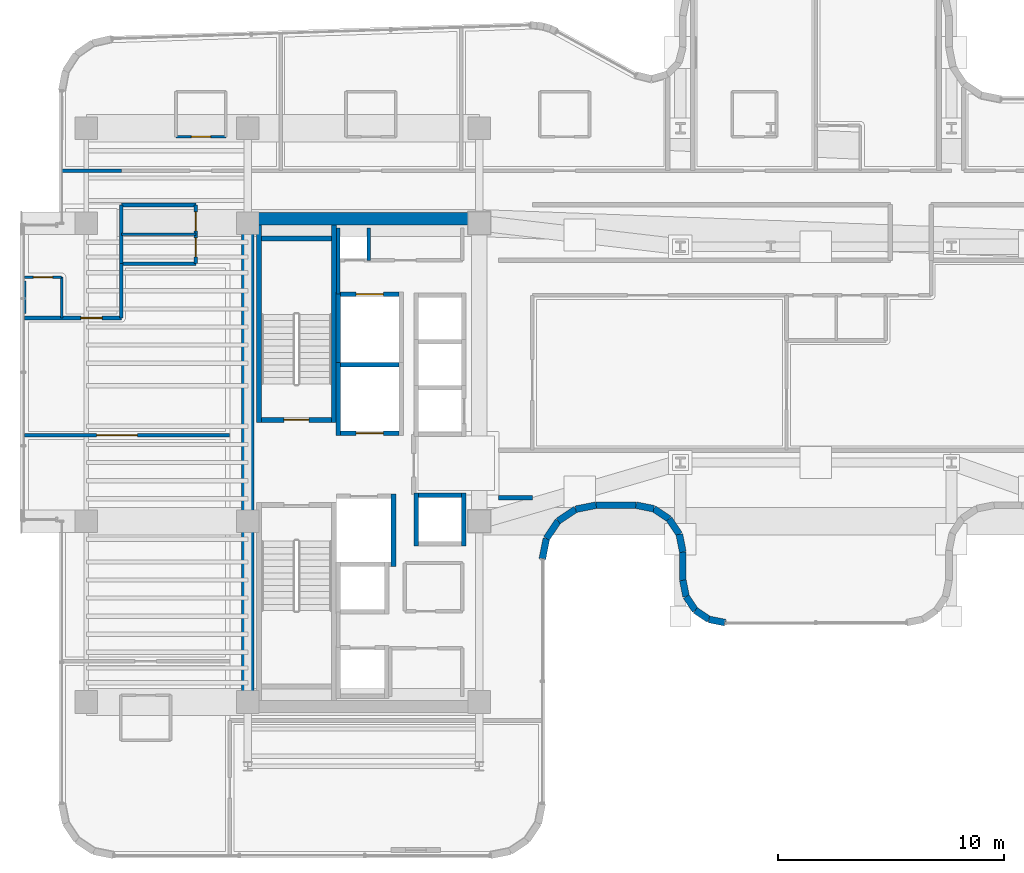
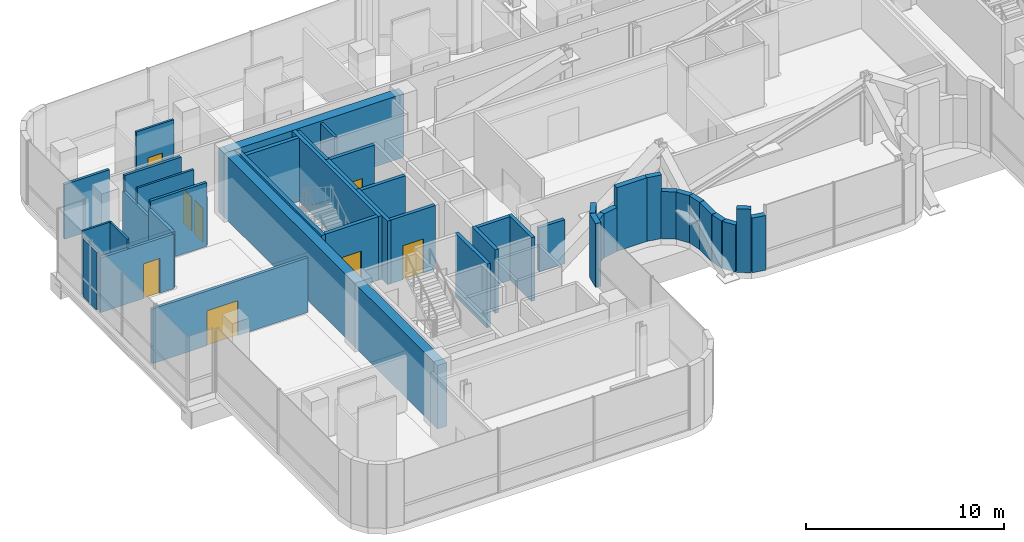
# One storey, part 27 of 37: 45 walls, 9 doors, 9 openings.
"""IFC4 building model written with IfcOpenShell, lengths in metres."""

from ifc_helpers import new_model, si_unit, direction, frame, frame_2d, origin, place, context, subcontext, project, spatial, rectangle, extrude, material, layer, layer_set, type_object, element, fill, save


model = new_model("IFC4")

# Units and contexts
model_context = context("Model", 3, precision=1e-05, world=origin(), true_north=direction((0.0, 1.0)))
body_context = subcontext(model_context, "Body", "Model", "MODEL_VIEW")
ifc_project = project(units=[si_unit("LENGTHUNIT", "METRE"), si_unit("AREAUNIT", "SQUARE_METRE"), si_unit("VOLUMEUNIT", "CUBIC_METRE"), si_unit("PLANEANGLEUNIT", "RADIAN"), si_unit("MASSUNIT", "GRAM", prefix="KILO")], contexts=[model_context])

# Site, building, storey
site_placement = place(None, origin())
site = spatial("IfcSite", under=ifc_project, at=site_placement, CompositionType="ELEMENT")
building_placement = place(site_placement, origin())
building = spatial("IfcBuilding", under=site, at=building_placement, Name="Valdorenza Pilgrim Sanctuary Tower", CompositionType="ELEMENT")
storey_placement = place(building_placement, frame((0.0, 0.0, 172.300048828125)))
storey = spatial("IfcBuildingStorey", under=building, at=storey_placement, Name="L44", CompositionType="ELEMENT", Elevation=172.300048828125)

# Walls
ifc_material_1 = material(Name="Acoustic twin-stud gypsum partition", Category="gypsum")
ifc_layer_1 = layer(ifc_material_1, 0.159912109375, Name="Acoustic twin-stud gypsum partition")
ifc_layer_set_1 = layer_set([ifc_layer_1], Name="Acoustic twin-stud gypsum partition")
wall_type_1 = type_object("IfcWallType", Name="WAL-COR-160", PredefinedType="PARTITIONING", material=ifc_layer_set_1)
wall_1_placement = place(storey_placement, frame((-18.64990234375, 7.449951171875, 0.0), z_axis=(0.0, 0.0, 1.0), x_axis=(0.0, 1.0, 0.0)))
element("IfcWall", 1, at=wall_1_placement, inside=storey, type_object=wall_type_1, Name="L44 Core A North Service West Wall", PredefinedType="PARTITIONING", context=body_context, shape_type="SweptSolid", body=[
    extrude(rectangle(XDim=2.929931640625, YDim=0.159912109375, at=frame_2d((1.46484375, 0.0))), origin(), (0.0, 0.0, 1.0), 3.929931640625),
])
wall_2_placement = place(storey_placement, frame((-17.300048828125, 8.949951171875, 0.0), z_axis=(0.0, 0.0, 1.0), x_axis=(0.0, 1.0, 0.0)))
element("IfcWall", 2, at=wall_2_placement, inside=storey, type_object=wall_type_1, Name="L44 Core Electrical Riser Wall", PredefinedType="PARTITIONING", context=body_context, shape_type="SweptSolid", body=[
    extrude(rectangle(XDim=1.429931640625, YDim=0.159912109375, at=frame_2d((0.71484375, 0.0))), origin(), (0.0, 0.0, 1.0), 3.929931640625),
])
wall_3_placement = place(storey_placement, frame((-28.25, 8.800048828125, 0.0), z_axis=(0.0, 0.0, 1.0), x_axis=(0.0, 1.0, 0.0)))
element("IfcWall", 3, at=wall_3_placement, inside=storey, type_object=wall_type_1, Name="L44 Washroom West Wall", PredefinedType="PARTITIONING", context=body_context, shape_type="SweptSolid", body=[
    extrude(rectangle(XDim=2.599853515625, YDim=0.159912109375, at=frame_2d((1.2998046875, 0.0))), origin(), (0.0, 0.0, 1.0), 2.96484375),
])

# Wall, openings, doors
wall_4_placement = place(storey_placement, frame((-24.949951171875, 8.800048828125, 0.0), z_axis=(0.0, 0.0, 1.0), x_axis=(0.0, 1.0, 0.0)))
wall_4 = element("IfcWall", 4, at=wall_4_placement, inside=storey, type_object=wall_type_1, Name="L44 Washroom East Wall", PredefinedType="PARTITIONING", context=body_context, shape_type="SweptSolid", body=[
    extrude(rectangle(XDim=2.599853515625, YDim=0.159912109375, at=frame_2d((1.2998046875, 0.0))), origin(), (0.0, 0.0, 1.0), 2.96484375),
])
opening_1_placement = place(wall_4_placement, frame((0.300048828125, 0.0, 0.0)))
opening_1 = element("IfcOpeningElement", 5, at=opening_1_placement, cuts=wall_4, Name="Opening DR-WC1", PredefinedType="OPENING", context=body_context, shape_type="SweptSolid", body=[
    extrude(rectangle(XDim=0.85009765625, YDim=2.10009765625, at=frame_2d((0.425048828125, 1.050048828125))), frame((0.0, 0.0947265625, 0.0), z_axis=(0.0, -1.0, 0.0), x_axis=(1.0, 0.0, 0.0)), (0.0, 0.0, 1.0), 0.189697265625),
])
opening_2_placement = place(wall_4_placement, frame((1.449951171875, 0.0, 0.0)))
opening_2 = element("IfcOpeningElement", 6, at=opening_2_placement, cuts=wall_4, Name="Opening DR-WC1", PredefinedType="OPENING", context=body_context, shape_type="SweptSolid", body=[
    extrude(rectangle(XDim=0.85009765625, YDim=2.10009765625, at=frame_2d((0.425048828125, 1.050048828125))), frame((0.0, 0.0947265625, 0.0), z_axis=(0.0, -1.0, 0.0), x_axis=(1.0, 0.0, 0.0)), (0.0, 0.0, 1.0), 0.189697265625),
])
ifc_material_2 = material(Name="Moisture-resistant lacquered timber", Category="wood")
door_type_1 = type_object("IfcDoorType", Name="DR-BATH-850", OperationType="NOTDEFINED", PredefinedType="DOOR", material=ifc_material_2)
door_1_placement = place(opening_1_placement, origin())
door_1 = element("IfcDoor", 7, at=door_1_placement, inside=storey, type_object=door_type_1, Name="L44 Accessible Washroom Door", OperationType="SINGLE_SWING_RIGHT", OverallHeight=2.10009765625, OverallWidth=0.85009765625, PredefinedType="DOOR", context=body_context, shape_type="SweptSolid", body=[
    extrude(rectangle(XDim=0.85009765625, YDim=2.10009765625, at=frame_2d((0.425048828125, 1.050048828125))), frame((0.0, 0.02490234375, 0.0), z_axis=(0.0, -1.0, 0.0), x_axis=(1.0, 0.0, 0.0)), (0.0, 0.0, 1.0), 0.050048828125),
])
fill(opening_1, door_1)
door_2_placement = place(opening_2_placement, origin())
door_2 = element("IfcDoor", 8, at=door_2_placement, inside=storey, type_object=door_type_1, Name="L44 Public Washroom Door", OperationType="SINGLE_SWING_LEFT", OverallHeight=2.10009765625, OverallWidth=0.85009765625, PredefinedType="DOOR", context=body_context, shape_type="SweptSolid", body=[
    extrude(rectangle(XDim=0.85009765625, YDim=2.10009765625, at=frame_2d((0.425048828125, 1.050048828125))), frame((0.0, 0.02490234375, 0.0), z_axis=(0.0, -1.0, 0.0), x_axis=(1.0, 0.0, 0.0)), (0.0, 0.0, 1.0), 0.050048828125),
])
fill(opening_2, door_2)

# Walls
for number, where, z_axis, x_axis, name in (
    (9, (-28.25, 8.800048828125, 0.0), (0.0, 0.0, 1.0), (1.0, 0.0, 0.0), "L44 Washroom South Wall"),
    (10, (-28.25, 11.39990234375, 0.0), (0.0, 0.0, 1.0), (1.0, 0.0, 0.0), "L44 Washroom North Wall"),
):
    element("IfcWall", number, at=place(storey_placement, frame(where, z_axis=z_axis, x_axis=x_axis)), inside=storey, type_object=wall_type_1, Name=name, PredefinedType="PARTITIONING", context=body_context, shape_type="SweptSolid", body=[
        extrude(rectangle(XDim=3.300048828125, YDim=0.159912109375, at=frame_2d((1.64990234375, 0.0))), origin(), (0.0, 0.0, 1.0), 3.929931640625),
    ])

# Wall, opening, door
wall_5_placement = place(storey_placement, frame((-32.5400390625, 6.39990234375, 0.0), z_axis=(0.0, 0.0, 1.0), x_axis=(1.0, 0.0, 0.0)))
wall_5 = element("IfcWall", 11, at=wall_5_placement, inside=storey, type_object=wall_type_1, Name="L44 Cloister North Room Wall", PredefinedType="PARTITIONING", context=body_context, shape_type="SweptSolid", body=[
    extrude(rectangle(XDim=4.2900390625, YDim=0.159912109375, at=frame_2d((2.14501953125, 0.0))), origin(), (0.0, 0.0, 1.0), 3.3759765625),
])
opening_3_placement = place(wall_5_placement, frame((2.4951171875, 0.0, 0.0)))
opening_3 = element("IfcOpeningElement", 12, at=opening_3_placement, cuts=wall_5, Name="Opening DR-UN1", PredefinedType="OPENING", context=body_context, shape_type="SweptSolid", body=[
    extrude(rectangle(XDim=0.949951171875, YDim=2.14990234375, at=frame_2d((0.47509765625, 1.074951171875))), frame((0.0, 0.0947265625, 0.0), z_axis=(0.0, -1.0, 0.0), x_axis=(1.0, 0.0, 0.0)), (0.0, 0.0, 1.0), 0.189697265625),
])
ifc_material_3 = material(Name="Solid-core European oak timber", Category="wood")
door_type_2 = type_object("IfcDoorType", Name="DR-UNIT-950", OperationType="NOTDEFINED", PredefinedType="DOOR", material=ifc_material_3)
door_3_placement = place(opening_3_placement, origin())
door_3 = element("IfcDoor", 13, at=door_3_placement, inside=storey, type_object=door_type_2, Name="L44 Pilgrim Guest Room L44-CN1 Entrance Door", OperationType="SINGLE_SWING_RIGHT", OverallHeight=2.14990234375, OverallWidth=0.949951171875, PredefinedType="DOOR", context=body_context, shape_type="SweptSolid", body=[
    extrude(rectangle(XDim=0.949951171875, YDim=2.14990234375, at=frame_2d((0.47509765625, 1.074951171875))), frame((0.0, 0.02490234375, 0.0), z_axis=(0.0, -1.0, 0.0), x_axis=(1.0, 0.0, 0.0)), (0.0, 0.0, 1.0), 0.050048828125),
])
fill(opening_3, door_3)

# Wall
wall_6_placement = place(storey_placement, frame((-28.25, 6.39990234375, 0.0), z_axis=(0.0, 0.0, 1.0), x_axis=(0.0, 1.0, 0.0)))
element("IfcWall", 14, at=wall_6_placement, inside=storey, type_object=wall_type_1, Name="L44 Cloister NE Closure", PredefinedType="PARTITIONING", context=body_context, shape_type="SweptSolid", body=[
    extrude(rectangle(XDim=2.400146484375, YDim=0.159912109375, at=frame_2d((1.2001953125, 0.0))), origin(), (0.0, 0.0, 1.0), 3.4580078125),
])

# Wall, opening, door
wall_7_placement = place(storey_placement, frame((-32.5400390625, 1.199951171875, 0.0), z_axis=(0.0, 0.0, 1.0), x_axis=(1.0, 0.0, 0.0)))
wall_7 = element("IfcWall", 15, at=wall_7_placement, inside=storey, type_object=wall_type_1, Name="L44 Cloister Mid Wall", PredefinedType="PARTITIONING", context=body_context, shape_type="SweptSolid", body=[
    extrude(rectangle(XDim=9.090087890625, YDim=0.159912109375, at=frame_2d((4.544921875, 0.0))), origin(), (0.0, 0.0, 1.0), 3.3759765625),
])
opening_4_placement = place(wall_7_placement, frame((3.199951171875, 0.0, 0.0)))
opening_4 = element("IfcOpeningElement", 16, at=opening_4_placement, cuts=wall_7, Name="Opening DR-HL1", PredefinedType="OPENING", context=body_context, shape_type="SweptSolid", body=[
    extrude(rectangle(XDim=1.800048828125, YDim=2.14990234375, at=frame_2d((0.89990234375, 1.074951171875))), frame((0.0, 0.0947265625, 0.0), z_axis=(0.0, -1.0, 0.0), x_axis=(1.0, 0.0, 0.0)), (0.0, 0.0, 1.0), 0.189697265625),
])
ifc_material_4 = material(Name="Acoustic oak and vision-glass double door", Category="glass")
door_type_3 = type_object("IfcDoorType", Name="DR-HALL-1800", OperationType="NOTDEFINED", PredefinedType="DOOR", material=ifc_material_4)
door_4_placement = place(opening_4_placement, origin())
door_4 = element("IfcDoor", 17, at=door_4_placement, inside=storey, type_object=door_type_3, Name="L44 Cloister Mid Double Door", OperationType="DOUBLE_DOOR_SINGLE_SWING", OverallHeight=2.14990234375, OverallWidth=1.800048828125, PredefinedType="DOOR", context=body_context, shape_type="SweptSolid", body=[
    extrude(rectangle(XDim=1.800048828125, YDim=2.14990234375, at=frame_2d((0.89990234375, 1.074951171875))), frame((0.0, 0.02490234375, 0.0), z_axis=(0.0, -1.0, 0.0), x_axis=(1.0, 0.0, 0.0)), (0.0, 0.0, 1.0), 0.050048828125),
])
fill(opening_4, door_4)

# Walls
wall_8_placement = place(storey_placement, frame((-30.889892578125, 12.919921875, 0.0), z_axis=(0.0, 0.0, 1.0), x_axis=(1.0, 0.0, 0.0)))
element("IfcWall", 18, at=wall_8_placement, inside=storey, type_object=wall_type_1, Name="L44 Cloister North Solid Partition", PredefinedType="PARTITIONING", context=body_context, shape_type="SweptSolid", body=[
    extrude(rectangle(XDim=2.639892578125, YDim=0.159912109375, at=frame_2d((1.31982421875, 0.0))), origin(), (0.0, 0.0, 1.0), 3.3759765625),
])
ifc_material_5 = material(Name="Concrete C50/60", Category="concrete")
ifc_layer_2 = layer(ifc_material_5, 0.550048828125, Name="Concrete C50/60")
ifc_layer_set_2 = layer_set([ifc_layer_2], Name="Concrete C50/60")
wall_type_2 = type_object("IfcWallType", Name="WAL-COR-550", PredefinedType="SHEAR", material=ifc_layer_set_2)
wall_9_placement = place(storey_placement, frame((-22.64990234375, -11.074951171875, 0.0), z_axis=(0.0, 0.0, 1.0), x_axis=(0.0, 1.0, 0.0)))
element("IfcWall", 19, at=wall_9_placement, inside=storey, type_object=wall_type_2, Name="L44 Split Core A Shear Wall W", PredefinedType="SHEAR", context=body_context, shape_type="SweptSolid", body=[
    extrude(rectangle(XDim=22.14990234375, YDim=0.550048828125, at=frame_2d((11.074951171875, 0.0))), origin(), (0.0, 0.0, 1.0), 3.929931640625),
])
wall_10_placement = place(storey_placement, frame((-22.64990234375, 10.800048828125, 0.0), z_axis=(0.0, 0.0, 1.0), x_axis=(1.0, 0.0, 0.0)))
element("IfcWall", 20, at=wall_10_placement, inside=storey, type_object=wall_type_2, Name="L44 Split Core A Shear Wall N", PredefinedType="SHEAR", context=body_context, shape_type="SweptSolid", body=[
    extrude(rectangle(XDim=10.25, YDim=0.550048828125, at=frame_2d((5.125, 0.0))), origin(), (0.0, 0.0, 1.0), 3.929931640625),
])
ifc_material_6 = material(Name="Honed travertine limestone", Category="masonry")
ifc_layer_3 = layer(ifc_material_6, 0.300048828125, Name="Honed travertine limestone")
ifc_layer_set_3 = layer_set([ifc_layer_3], Name="Honed travertine limestone")
wall_type_3 = type_object("IfcWallType", Name="WAL-EXT-300", PredefinedType="SOLIDWALL", material=ifc_layer_set_3)
wall_11_placement = place(storey_placement, frame((-1.51318359375, -7.090087890625, 0.0), z_axis=(0.0, 0.0, 1.0), x_axis=(-0.980783640462, 0.195098566376, 0.0)))
element("IfcWall", 21, at=wall_11_placement, inside=storey, type_object=wall_type_3, Name="L44 Rounded Wind-Corner Stone Pier 63", PredefinedType="SOLIDWALL", context=body_context, shape_type="SweptSolid", body=[
    extrude(rectangle(XDim=0.73828125, YDim=0.300048828125, at=frame_2d((0.369140625, 0.0))), origin(), (0.0, 0.0, 1.0), 3.3759765625),
])
wall_12_placement = place(storey_placement, frame((-2.2373046875, -6.946044921875, 0.0), z_axis=(0.0, 0.0, 1.0), x_axis=(-0.831378135196, 0.555707113792, 0.0)))
element("IfcWall", 22, at=wall_12_placement, inside=storey, type_object=wall_type_3, Name="L44 Rounded Wind-Corner Stone Pier 64", PredefinedType="SOLIDWALL", context=body_context, shape_type="SweptSolid", body=[
    extrude(rectangle(XDim=0.72705078125, YDim=0.300048828125, at=frame_2d((0.363525390625, 0.0))), origin(), (0.0, 0.0, 1.0), 3.929931640625),
])
wall_13_placement = place(storey_placement, frame((-2.841796875, -6.5419921875, 0.0), z_axis=(0.0, 0.0, 1.0), x_axis=(-0.555784030735, 0.83132671747, 0.0)))
element("IfcWall", 23, at=wall_13_placement, inside=storey, type_object=wall_type_3, Name="L44 Rounded Wind-Corner Stone Pier 65", PredefinedType="SOLIDWALL", context=body_context, shape_type="SweptSolid", body=[
    extrude(rectangle(XDim=0.7275390625, YDim=0.300048828125, at=frame_2d((0.36376953125, 0.0))), origin(), (0.0, 0.0, 1.0), 2.9150390625),
])
wall_14_placement = place(storey_placement, frame((-3.24609375, -5.937255859375, 0.0), z_axis=(0.0, 0.0, 1.0), x_axis=(-0.194780446724, 0.980846867546, 0.0)))
element("IfcWall", 24, at=wall_14_placement, inside=storey, type_object=wall_type_3, Name="L44 Rounded Wind-Corner Stone Pier 66", PredefinedType="SOLIDWALL", context=body_context, shape_type="SweptSolid", body=[
    extrude(rectangle(XDim=0.73828125, YDim=0.300048828125, at=frame_2d((0.369140625, 0.0))), origin(), (0.0, 0.0, 1.0), 2.9150390625),
])
wall_15_placement = place(storey_placement, frame((-3.389892578125, -5.213134765625, 0.0), z_axis=(0.0, 0.0, 1.0), x_axis=(0.0, 1.0, 0.0)))
element("IfcWall", 25, at=wall_15_placement, inside=storey, type_object=wall_type_3, Name="L44 Rounded Wind-Corner Stone Pier 67", PredefinedType="SOLIDWALL", context=body_context, shape_type="SweptSolid", body=[
    extrude(rectangle(XDim=1.248046875, YDim=0.300048828125, at=frame_2d((0.6240234375, 0.0))), origin(), (0.0, 0.0, 1.0), 2.9150390625),
])
wall_16_placement = place(storey_placement, frame((-3.389892578125, -3.965087890625, 0.0), z_axis=(0.0, 0.0, 1.0), x_axis=(-0.195356525272, 0.980732291726, 0.0)))
element("IfcWall", 26, at=wall_16_placement, inside=storey, type_object=wall_type_3, Name="L44 Rounded Wind-Corner Stone Pier 68", PredefinedType="SOLIDWALL", context=body_context, shape_type="SweptSolid", body=[
    extrude(rectangle(XDim=0.803466796875, YDim=0.300048828125, at=frame_2d((0.40185546875, 0.0))), origin(), (0.0, 0.0, 1.0), 2.9150390625),
])
for number, where, z_axis, x_axis, name in (
    (27, (-3.546875, -3.177001953125, 0.0), (0.0, 0.0, 1.0), (-0.555529688413, 0.831496701913, 0.0), "L44 Rounded Wind-Corner Stone Pier 69"),
    (28, (-3.99951171875, -2.49951171875, 0.0), (0.0, 0.0, 1.0), (-0.831496701913, 0.555529688413, 0.0), "L44 Rounded Wind-Corner Stone Pier 70"),
):
    element("IfcWall", number, at=place(storey_placement, frame(where, z_axis=z_axis, x_axis=x_axis)), inside=storey, type_object=wall_type_3, Name=name, PredefinedType="SOLIDWALL", context=body_context, shape_type="SweptSolid", body=[
        extrude(rectangle(XDim=0.814697265625, YDim=0.300048828125, at=frame_2d((0.4072265625, 0.0))), origin(), (0.0, 0.0, 1.0), 2.9150390625),
    ])
wall_17_placement = place(storey_placement, frame((-4.677001953125, -2.046875, 0.0), z_axis=(0.0, 0.0, 1.0), x_axis=(-0.980732291726, 0.195356525272, 0.0)))
element("IfcWall", 29, at=wall_17_placement, inside=storey, type_object=wall_type_3, Name="L44 Rounded Wind-Corner Stone Pier 71", PredefinedType="SOLIDWALL", context=body_context, shape_type="SweptSolid", body=[
    extrude(rectangle(XDim=0.803466796875, YDim=0.300048828125, at=frame_2d((0.40185546875, 0.0))), origin(), (0.0, 0.0, 1.0), 3.929931640625),
])
wall_18_placement = place(storey_placement, frame((-5.465087890625, -1.889892578125, 0.0), z_axis=(0.0, 0.0, 1.0), x_axis=(-1.0, 0.0, 0.0)))
element("IfcWall", 30, at=wall_18_placement, inside=storey, type_object=wall_type_3, Name="L44 Rounded Wind-Corner Stone Pier 72", PredefinedType="SOLIDWALL", context=body_context, shape_type="SweptSolid", body=[
    extrude(rectangle(XDim=1.765625, YDim=0.300048828125, at=frame_2d((0.8828125, 0.0))), origin(), (0.0, 0.0, 1.0), 3.929931640625),
])
wall_19_placement = place(storey_placement, frame((-7.230712890625, -1.889892578125, 0.0), z_axis=(0.0, 0.0, 1.0), x_axis=(-0.980743190895, -0.195301801101, 0.0)))
element("IfcWall", 31, at=wall_19_placement, inside=storey, type_object=wall_type_3, Name="L44 Rounded Wind-Corner Stone Pier 73", PredefinedType="SOLIDWALL", context=body_context, shape_type="SweptSolid", body=[
    extrude(rectangle(XDim=0.922607421875, YDim=0.300048828125, at=frame_2d((0.46142578125, 0.0))), origin(), (0.0, 0.0, 1.0), 2.71484375),
])
wall_20_placement = place(storey_placement, frame((-8.135498046875, -2.070068359375, 0.0), z_axis=(0.0, 0.0, 1.0), x_axis=(-0.831607331814, -0.555364065883, 0.0)))
element("IfcWall", 32, at=wall_20_placement, inside=storey, type_object=wall_type_3, Name="L44 Rounded Wind-Corner Stone Pier 74", PredefinedType="SOLIDWALL", context=body_context, shape_type="SweptSolid", body=[
    extrude(rectangle(XDim=0.933349609375, YDim=0.300048828125, at=frame_2d((0.466796875, 0.0))), origin(), (0.0, 0.0, 1.0), 2.71484375),
])
wall_21_placement = place(storey_placement, frame((-8.91162109375, -2.58837890625, 0.0), z_axis=(0.0, 0.0, 1.0), x_axis=(-0.555364065883, -0.831607331814, 0.0)))
element("IfcWall", 33, at=wall_21_placement, inside=storey, type_object=wall_type_3, Name="L44 Rounded Wind-Corner Stone Pier 75", PredefinedType="SOLIDWALL", context=body_context, shape_type="SweptSolid", body=[
    extrude(rectangle(XDim=0.933349609375, YDim=0.300048828125, at=frame_2d((0.466796875, 0.0))), origin(), (0.0, 0.0, 1.0), 3.929931640625),
])
wall_22_placement = place(storey_placement, frame((-9.429931640625, -3.364501953125, 0.0), z_axis=(0.0, 0.0, 1.0), x_axis=(-0.195301801101, -0.980743190895, 0.0)))
element("IfcWall", 34, at=wall_22_placement, inside=storey, type_object=wall_type_3, Name="L44 Rounded Wind-Corner Stone Pier 76", PredefinedType="SOLIDWALL", context=body_context, shape_type="SweptSolid", body=[
    extrude(rectangle(XDim=0.922607421875, YDim=0.300048828125, at=frame_2d((0.46142578125, 0.0))), origin(), (0.0, 0.0, 1.0), 3.929931640625),
])
ifc_material_7 = material(Name="Gypsum shaftwall partition", Category="gypsum")
ifc_layer_4 = layer(ifc_material_7, 0.199951171875, Name="Gypsum shaftwall partition")
ifc_layer_set_4 = layer_set([ifc_layer_4], Name="Gypsum shaftwall partition")
wall_type_4 = type_object("IfcWallType", Name="WAL-FFL-200", PredefinedType="PARTITIONING", material=ifc_layer_set_4)
wall_23_placement = place(storey_placement, frame((-11.550048828125, -1.550048828125, 0.0), z_axis=(0.0, 0.0, 1.0), x_axis=(1.0, 0.0, 0.0)))
element("IfcWall", 35, at=wall_23_placement, inside=storey, type_object=wall_type_4, Name="L44 L44 Core A Concourse South Truss Wall", PredefinedType="PARTITIONING", context=body_context, shape_type="SweptSolid", body=[
    extrude(rectangle(XDim=1.5, YDim=0.199951171875, at=frame_2d((0.75, 0.0))), origin(), (0.0, 0.0, 1.0), 2.71484375),
])
ifc_material_8 = material(Name="Moisture-resistant gypsum partition", Category="gypsum")
ifc_layer_5 = layer(ifc_material_8, 0.1201171875, Name="Moisture-resistant gypsum partition")
ifc_layer_set_5 = layer_set([ifc_layer_5], Name="Moisture-resistant gypsum partition")
wall_type_5 = type_object("IfcWallType", Name="WAL-INT-120", PredefinedType="PARTITIONING", material=ifc_layer_set_5)
wall_24_placement = place(storey_placement, frame((-28.25, 10.10009765625, 0.0), z_axis=(0.0, 0.0, 1.0), x_axis=(1.0, 0.0, 0.0)))
element("IfcWall", 36, at=wall_24_placement, inside=storey, type_object=wall_type_5, Name="L44 Washroom Divider Wall", PredefinedType="PARTITIONING", context=body_context, shape_type="SweptSolid", body=[
    extrude(rectangle(XDim=3.300048828125, YDim=0.1201171875, at=frame_2d((1.64990234375, 0.0))), origin(), (0.0, 0.0, 1.0), 3.929931640625),
])
wall_25_placement = place(storey_placement, frame((-30.889892578125, 6.39990234375, 0.0), z_axis=(0.0, 0.0, 1.0), x_axis=(0.0, 1.0, 0.0)))
element("IfcWall", 37, at=wall_25_placement, inside=storey, type_object=wall_type_5, Name="L44 Pilgrim Guest Room L44-CN1 En-suite East Wall", PredefinedType="PARTITIONING", context=body_context, shape_type="SweptSolid", body=[
    extrude(rectangle(XDim=1.80712890625, YDim=0.1201171875, at=frame_2d((0.903564453125, 0.0))), origin(), (0.0, 0.0, 1.0), 3.929931640625),
])

# Wall, opening, door
wall_26_placement = place(storey_placement, frame((-32.5400390625, 8.20703125, 0.0), z_axis=(0.0, 0.0, 1.0), x_axis=(1.0, 0.0, 0.0)))
wall_26 = element("IfcWall", 38, at=wall_26_placement, inside=storey, type_object=wall_type_5, Name="L44 Pilgrim Guest Room L44-CN1 En-suite Door Wall", PredefinedType="PARTITIONING", context=body_context, shape_type="SweptSolid", body=[
    extrude(rectangle(XDim=1.650146484375, YDim=0.1201171875, at=frame_2d((0.8251953125, 0.0))), origin(), (0.0, 0.0, 1.0), 3.929931640625),
])
opening_5_placement = place(wall_26_placement, frame((0.39990234375, 0.0, 0.0)))
opening_5 = element("IfcOpeningElement", 39, at=opening_5_placement, cuts=wall_26, Name="Opening DR-WC1", PredefinedType="OPENING", context=body_context, shape_type="SweptSolid", body=[
    extrude(rectangle(XDim=0.85009765625, YDim=2.10009765625, at=frame_2d((0.425048828125, 1.050048828125))), frame((0.0, 0.074951171875, 0.0), z_axis=(0.0, -1.0, 0.0), x_axis=(1.0, 0.0, 0.0)), (0.0, 0.0, 1.0), 0.14990234375),
])
door_5_placement = place(opening_5_placement, origin())
door_5 = element("IfcDoor", 40, at=door_5_placement, inside=storey, type_object=door_type_1, Name="L44 Pilgrim Guest Room L44-CN1 En-suite Bathroom Door", OperationType="SINGLE_SWING_LEFT", OverallHeight=2.10009765625, OverallWidth=0.85009765625, PredefinedType="DOOR", context=body_context, shape_type="SweptSolid", body=[
    extrude(rectangle(XDim=0.85009765625, YDim=2.10009765625, at=frame_2d((0.425048828125, 1.050048828125))), frame((0.0, 0.02490234375, 0.0), z_axis=(0.0, -1.0, 0.0), x_axis=(1.0, 0.0, 0.0)), (0.0, 0.0, 1.0), 0.050048828125),
])
fill(opening_5, door_5)

# Wall
wall_27_placement = place(storey_placement, frame((-32.5400390625, 6.60009765625, 0.0), z_axis=(0.0, 0.0, 1.0), x_axis=(0.0, 1.0, 0.0)))
element("IfcWall", 41, at=wall_27_placement, inside=storey, type_object=wall_type_5, Name="L44 CL-NG1-ENS Enclosure Wall W", PredefinedType="PARTITIONING", context=body_context, shape_type="SweptSolid", body=[
    extrude(rectangle(XDim=1.427001953125, YDim=0.1201171875, at=frame_2d((0.71337890625, 0.0))), origin(), (0.0, 0.0, 1.0), 3.56396484375),
])

# Wall, opening, door
wall_28_placement = place(storey_placement, frame((-25.824951171875, 14.419921875, 0.0), z_axis=(0.0, 0.0, 1.0), x_axis=(1.0, 0.0, 0.0)))
wall_28 = element("IfcWall", 42, at=wall_28_placement, inside=storey, type_object=wall_type_5, Name="L44 North Guest Room L44-N1 En-suite Door Wall", PredefinedType="PARTITIONING", context=body_context, shape_type="SweptSolid", body=[
    extrude(rectangle(XDim=2.199951171875, YDim=0.1201171875, at=frame_2d((1.10009765625, 0.0))), origin(), (0.0, 0.0, 1.0), 3.929931640625),
])
opening_6_placement = place(wall_28_placement, frame((0.675048828125, 0.0, 0.0)))
opening_6 = element("IfcOpeningElement", 43, at=opening_6_placement, cuts=wall_28, Name="Opening DR-WC1", PredefinedType="OPENING", context=body_context, shape_type="SweptSolid", body=[
    extrude(rectangle(XDim=0.85009765625, YDim=2.10009765625, at=frame_2d((0.425048828125, 1.050048828125))), frame((0.0, 0.074951171875, 0.0), z_axis=(0.0, -1.0, 0.0), x_axis=(1.0, 0.0, 0.0)), (0.0, 0.0, 1.0), 0.14990234375),
])
door_6_placement = place(opening_6_placement, origin())
door_6 = element("IfcDoor", 44, at=door_6_placement, inside=storey, type_object=door_type_1, Name="L44 North Guest Room L44-N1 En-suite Bathroom Door", OperationType="SINGLE_SWING_LEFT", OverallHeight=2.10009765625, OverallWidth=0.85009765625, PredefinedType="DOOR", context=body_context, shape_type="SweptSolid", body=[
    extrude(rectangle(XDim=0.85009765625, YDim=2.10009765625, at=frame_2d((0.425048828125, 1.050048828125))), frame((0.0, 0.02490234375, 0.0), z_axis=(0.0, -1.0, 0.0), x_axis=(1.0, 0.0, 0.0)), (0.0, 0.0, 1.0), 0.050048828125),
])
fill(opening_6, door_6)

# Wall
ifc_material_9 = material(Name="Autoclaved aerated concrete blockwork", Category="masonry")
ifc_layer_6 = layer(ifc_material_9, 0.199951171875, Name="Autoclaved aerated concrete blockwork")
ifc_layer_set_6 = layer_set([ifc_layer_6], Name="Autoclaved aerated concrete blockwork")
wall_type_6 = type_object("IfcWallType", Name="WAL-SHF-200", PredefinedType="MOVABLE", material=ifc_layer_set_6)
wall_29_placement = place(storey_placement, frame((-18.64990234375, 1.199951171875, 0.0), z_axis=(0.0, 0.0, 1.0), x_axis=(0.0, 1.0, 0.0)))
element("IfcWall", 45, at=wall_29_placement, inside=storey, type_object=wall_type_6, Name="L44 Lift FFL-01 Hoistway Wall West", PredefinedType="MOVABLE", context=body_context, shape_type="SweptSolid", body=[
    extrude(rectangle(XDim=3.22509765625, YDim=0.199951171875, at=frame_2d((1.612548828125, 0.0))), origin(), (0.0, 0.0, 1.0), 3.929931640625),
])

# Wall, opening, door
wall_30_placement = place(storey_placement, frame((-18.550048828125, 1.300048828125, 0.0), z_axis=(0.0, 0.0, 1.0), x_axis=(1.0, 0.0, 0.0)))
wall_30 = element("IfcWall", 46, at=wall_30_placement, inside=storey, type_object=wall_type_6, Name="L44 Lift FFL-01 Hoistway Wall South", PredefinedType="MOVABLE", context=body_context, shape_type="SweptSolid", body=[
    extrude(rectangle(XDim=2.60009765625, YDim=0.199951171875, at=frame_2d((1.300048828125, 0.0))), origin(), (0.0, 0.0, 1.0), 3.929931640625),
])
opening_7_placement = place(wall_30_placement, frame((0.699951171875, 0.0, 0.0)))
opening_7 = element("IfcOpeningElement", 47, at=opening_7_placement, cuts=wall_30, Name="Opening LD-02", PredefinedType="OPENING", context=body_context, shape_type="SweptSolid", body=[
    extrude(rectangle(XDim=1.199951171875, YDim=2.10009765625, at=frame_2d((0.60009765625, 1.050048828125))), frame((0.0, 0.11474609375, 0.0), z_axis=(0.0, -1.0, 0.0), x_axis=(1.0, 0.0, 0.0)), (0.0, 0.0, 1.0), 0.229736328125),
])
ifc_material_10 = material(Name="Brushed stainless steel Grade 316", Category="steel")
door_type_4 = type_object("IfcDoorType", Name="DR-LFT-1200", OperationType="DOUBLE_DOOR_SLIDING", PredefinedType="DOOR", material=ifc_material_10)
door_7_placement = place(opening_7_placement, origin())
door_7 = element("IfcDoor", 48, at=door_7_placement, inside=storey, type_object=door_type_4, Name="L44 Lift FFL-01 Sliding Landing Door", OperationType="DOUBLE_DOOR_SLIDING", OverallHeight=2.10009765625, OverallWidth=1.199951171875, PredefinedType="DOOR", context=body_context, shape_type="SweptSolid", body=[
    extrude(rectangle(XDim=1.199951171875, YDim=2.10009765625, at=frame_2d((0.60009765625, 1.050048828125))), frame((0.0, 0.02490234375, 0.0), z_axis=(0.0, -1.0, 0.0), x_axis=(1.0, 0.0, 0.0)), (0.0, 0.0, 1.0), 0.050048828125),
])
fill(opening_7, door_7)

# Walls
wall_31_placement = place(storey_placement, frame((-18.550048828125, 4.324951171875, 0.0), z_axis=(0.0, 0.0, 1.0), x_axis=(1.0, 0.0, 0.0)))
element("IfcWall", 49, at=wall_31_placement, inside=storey, type_object=wall_type_6, Name="L44 Lift FFL-01 Hoistway Wall North", PredefinedType="MOVABLE", context=body_context, shape_type="SweptSolid", body=[
    extrude(rectangle(XDim=2.60009765625, YDim=0.199951171875, at=frame_2d((1.300048828125, 0.0))), origin(), (0.0, 0.0, 1.0), 3.929931640625),
])
wall_32_placement = place(storey_placement, frame((-16.199951171875, -4.60009765625, 0.0), z_axis=(0.0, 0.0, 1.0), x_axis=(0.0, 1.0, 0.0)))
element("IfcWall", 50, at=wall_32_placement, inside=storey, type_object=wall_type_6, Name="L44 Lift FFL-02 Hoistway Wall East", PredefinedType="MOVABLE", context=body_context, shape_type="SweptSolid", body=[
    extrude(rectangle(XDim=3.2001953125, YDim=0.199951171875, at=frame_2d((1.60009765625, 0.0))), origin(), (0.0, 0.0, 1.0), 3.929931640625),
])
wall_33_placement = place(storey_placement, frame((-18.64990234375, 4.22509765625, 0.0), z_axis=(0.0, 0.0, 1.0), x_axis=(0.0, 1.0, 0.0)))
element("IfcWall", 51, at=wall_33_placement, inside=storey, type_object=wall_type_6, Name="L44 Lift SVL-01 Hoistway Wall West", PredefinedType="MOVABLE", context=body_context, shape_type="SweptSolid", body=[
    extrude(rectangle(XDim=3.324951171875, YDim=0.199951171875, at=frame_2d((1.66259765625, 0.0))), origin(), (0.0, 0.0, 1.0), 3.929931640625),
])

# Wall, opening, door
wall_34_placement = place(storey_placement, frame((-18.550048828125, 7.449951171875, 0.0), z_axis=(0.0, 0.0, 1.0), x_axis=(1.0, 0.0, 0.0)))
wall_34 = element("IfcWall", 52, at=wall_34_placement, inside=storey, type_object=wall_type_6, Name="L44 Lift SVL-01 Hoistway Wall North", PredefinedType="MOVABLE", context=body_context, shape_type="SweptSolid", body=[
    extrude(rectangle(XDim=2.60009765625, YDim=0.199951171875, at=frame_2d((1.300048828125, 0.0))), origin(), (0.0, 0.0, 1.0), 3.929931640625),
])
opening_8_placement = place(wall_34_placement, frame((0.699951171875, 0.0, 0.0)))
opening_8 = element("IfcOpeningElement", 53, at=opening_8_placement, cuts=wall_34, Name="Opening LD-02", PredefinedType="OPENING", context=body_context, shape_type="SweptSolid", body=[
    extrude(rectangle(XDim=1.199951171875, YDim=2.10009765625, at=frame_2d((0.60009765625, 1.050048828125))), frame((0.0, 0.11474609375, 0.0), z_axis=(0.0, -1.0, 0.0), x_axis=(1.0, 0.0, 0.0)), (0.0, 0.0, 1.0), 0.229736328125),
])
door_8_placement = place(opening_8_placement, origin())
door_8 = element("IfcDoor", 54, at=door_8_placement, inside=storey, type_object=door_type_4, Name="L44 Lift SVL-01 Sliding Landing Door", OperationType="DOUBLE_DOOR_SLIDING", OverallHeight=2.10009765625, OverallWidth=1.199951171875, PredefinedType="DOOR", context=body_context, shape_type="SweptSolid", body=[
    extrude(rectangle(XDim=1.199951171875, YDim=2.10009765625, at=frame_2d((0.60009765625, 1.050048828125))), frame((0.0, 0.02490234375, 0.0), z_axis=(0.0, -1.0, 0.0), x_axis=(1.0, 0.0, 0.0)), (0.0, 0.0, 1.0), 0.050048828125),
])
fill(opening_8, door_8)

# Walls
for number, where, z_axis, x_axis, name in (
    (55, (-15.199951171875, -3.699951171875, 0.0), (0.0, 0.0, 1.0), (0.0, 1.0, 0.0), "L44 Lift PL-12 Hoistway Wall West"),
    (56, (-13.080078125, -3.699951171875, 0.0), (0.0, 0.0, 1.0), (0.0, 1.0, 0.0), "L44 Lift PL-12 Hoistway Wall East"),
):
    element("IfcWall", number, at=place(storey_placement, frame(where, z_axis=z_axis, x_axis=x_axis)), inside=storey, type_object=wall_type_6, Name=name, PredefinedType="MOVABLE", context=body_context, shape_type="SweptSolid", body=[
        extrude(rectangle(XDim=2.349853515625, YDim=0.199951171875, at=frame_2d((1.1748046875, 0.0))), origin(), (0.0, 0.0, 1.0), 3.929931640625),
    ])
wall_35_placement = place(storey_placement, frame((-15.10009765625, -1.449951171875, 0.0), z_axis=(0.0, 0.0, 1.0), x_axis=(1.0, 0.0, 0.0)))
element("IfcWall", 57, at=wall_35_placement, inside=storey, type_object=wall_type_6, Name="L44 Lift PL-12 Hoistway Wall North", PredefinedType="MOVABLE", context=body_context, shape_type="SweptSolid", body=[
    extrude(rectangle(XDim=1.920166015625, YDim=0.199951171875, at=frame_2d((0.9599609375, 0.0))), origin(), (0.0, 0.0, 1.0), 3.929931640625),
])
ifc_material_11 = material(Name="Concrete C40/50", Category="concrete")
ifc_layer_7 = layer(ifc_material_11, 0.219970703125, Name="Concrete C40/50")
ifc_layer_set_7 = layer_set([ifc_layer_7], Name="Concrete C40/50")
wall_type_7 = type_object("IfcWallType", Name="WAL-STR-SHF-220", PredefinedType="SHEAR", material=ifc_layer_set_7)
for number, where, z_axis, x_axis, name in (
    (58, (-22.159912109375, 1.780029296875, 0.0), (0.0, 0.0, 1.0), (0.0, 1.0, 0.0), "L44 ST-A1 Structural Stairwell Wall W"),
    (59, (-18.830078125, 1.780029296875, 0.0), (0.0, 0.0, 1.0), (0.0, 1.0, 0.0), "L44 ST-A1 Structural Stairwell Wall E"),
):
    element("IfcWall", number, at=place(storey_placement, frame(where, z_axis=z_axis, x_axis=x_axis)), inside=storey, type_object=wall_type_7, Name=name, PredefinedType="SHEAR", context=body_context, shape_type="SweptSolid", body=[
        extrude(rectangle(XDim=8.744873046875, YDim=0.219970703125, at=frame_2d((4.37255859375, 0.0))), origin(), (0.0, 0.0, 1.0), 3.929931640625),
    ])

# Wall, opening, door
wall_36_placement = place(storey_placement, frame((-22.050048828125, 1.889892578125, 0.0), z_axis=(0.0, 0.0, 1.0), x_axis=(1.0, 0.0, 0.0)))
wall_36 = element("IfcWall", 60, at=wall_36_placement, inside=storey, type_object=wall_type_7, Name="L44 ST-A1 Structural Stairwell Wall S", PredefinedType="SHEAR", context=body_context, shape_type="SweptSolid", body=[
    extrude(rectangle(XDim=3.110107421875, YDim=0.219970703125, at=frame_2d((1.55517578125, 0.0))), origin(), (0.0, 0.0, 1.0), 3.929931640625),
])
opening_9_placement = place(wall_36_placement, frame((1.0, 0.0, 0.0)))
opening_9 = element("IfcOpeningElement", 61, at=opening_9_placement, cuts=wall_36, Name="Opening DR-ST1", PredefinedType="OPENING", context=body_context, shape_type="SweptSolid", body=[
    extrude(rectangle(XDim=1.10009765625, YDim=2.14990234375, at=frame_2d((0.550048828125, 1.074951171875))), frame((0.0, 0.125, 0.0), z_axis=(0.0, -1.0, 0.0), x_axis=(1.0, 0.0, 0.0)), (0.0, 0.0, 1.0), 0.249755859375),
])
ifc_material_12 = material(Name="Painted galvanized steel", Category="steel")
door_type_5 = type_object("IfcDoorType", Name="DR-STAIR-1100", OperationType="NOTDEFINED", PredefinedType="DOOR", material=ifc_material_12)
door_9_placement = place(opening_9_placement, frame((1.10009765625, 0.0, 0.0), z_axis=(0.0, 0.0, 1.0), x_axis=(-1.0, 0.0, 0.0)))
door_9 = element("IfcDoor", 62, at=door_9_placement, inside=storey, type_object=door_type_5, Name="L44 Exit Stair ST-A1 Door", OperationType="SINGLE_SWING_LEFT", OverallHeight=2.14990234375, OverallWidth=1.10009765625, PredefinedType="DOOR", context=body_context, shape_type="SweptSolid", body=[
    extrude(rectangle(XDim=1.10009765625, YDim=2.14990234375, at=frame_2d((0.550048828125, 1.074951171875))), frame((0.0, 0.02490234375, 0.0), z_axis=(0.0, -1.0, 0.0), x_axis=(1.0, 0.0, 0.0)), (0.0, 0.0, 1.0), 0.050048828125),
])
fill(opening_9, door_9)

# Wall
wall_37_placement = place(storey_placement, frame((-22.050048828125, 9.909912109375, 0.0), z_axis=(0.0, 0.0, 1.0), x_axis=(1.0, 0.0, 0.0)))
element("IfcWall", 63, at=wall_37_placement, inside=storey, type_object=wall_type_7, Name="L44 ST-A1 Structural Stairwell Wall N", PredefinedType="SHEAR", context=body_context, shape_type="SweptSolid", body=[
    extrude(rectangle(XDim=3.110107421875, YDim=0.219970703125, at=frame_2d((1.55517578125, 0.0))), origin(), (0.0, 0.0, 1.0), 3.929931640625),
])

save(model, "model.ifc")
